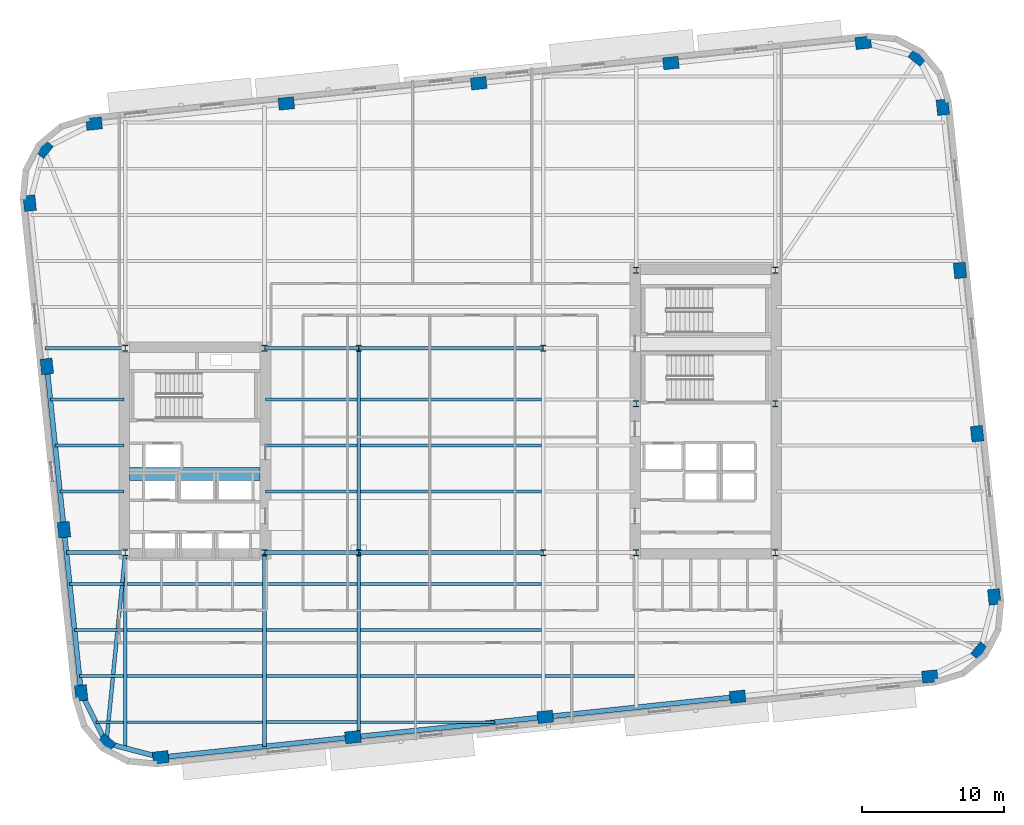
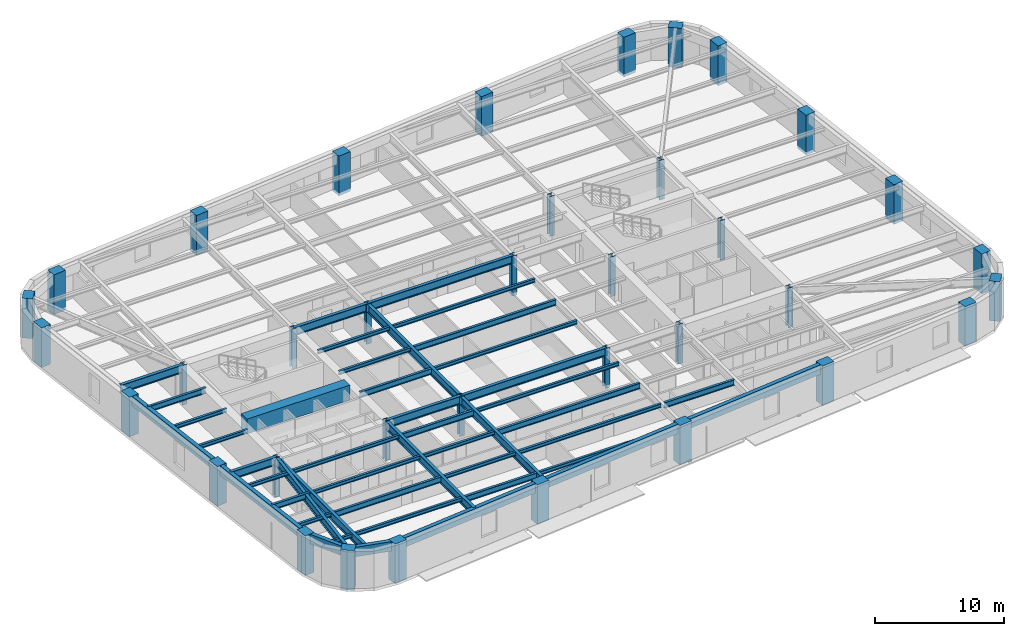
# One storey, part 1 of 12: 45 beams, 36 columns.
"""IFC4 building model written with IfcOpenShell, lengths in metres."""

from ifc_helpers import new_model, si_unit, direction, frame, origin, origin_2d, place, context, subcontext, project, spatial, rectangle, hollow_rectangle, i_section, extrude, material, material_profile, profile_set, type_object, element, save


model = new_model("IFC4")

# Units and contexts
model_context = context("Model", 3, precision=1e-05, world=origin(), true_north=direction((0.0, 1.0)))
body_context = subcontext(model_context, "Body", "Model", "MODEL_VIEW")
ifc_project = project(units=[si_unit("LENGTHUNIT", "METRE"), si_unit("AREAUNIT", "SQUARE_METRE"), si_unit("VOLUMEUNIT", "CUBIC_METRE"), si_unit("PLANEANGLEUNIT", "RADIAN"), si_unit("MASSUNIT", "GRAM", prefix="KILO")], contexts=[model_context])

# Site, building, storey
site_placement = place(None, origin())
site = spatial("IfcSite", under=ifc_project, at=site_placement, CompositionType="ELEMENT")
building_placement = place(site_placement, origin())
building = spatial("IfcBuilding", under=site, at=building_placement, Name="Kolvaren Arena Tower", CompositionType="ELEMENT")
storey_placement = place(building_placement, frame((0.0, 0.0, 138.25)))
storey = spatial("IfcBuildingStorey", under=building, at=storey_placement, Name="L32", CompositionType="ELEMENT", Elevation=138.25)

# Columns
ifc_material_1 = material(Name="Precast concrete C70/85", Category="concrete")
ifc_material_profile_1 = material_profile(ifc_material_1, rectangle(XDim=1.10009765625, YDim=0.85009765625, at=origin_2d()), Name="RC-1100x850")
ifc_profile_set_1 = profile_set([ifc_material_profile_1], Name="Precast concrete C70/85")
column_type_1 = type_object("IfcColumnType", Name="EXCOL-Z2", PredefinedType="COLUMN", material=ifc_profile_set_1)
for number, where, z_axis, x_axis, name in (
    (1, (17.0458984375, 5.024658203125, -0.27001953125), (0.0, 0.0, 1.0), (0.994521895368, 0.104528463268, 0.0), "Exoskeleton Perimeter Column 01 (L32)"),
    (2, (30.59619140625, 6.44873046875, -0.27001953125), (0.0, 0.0, 1.0), (0.994521895368, 0.104528463268, 0.0), "Exoskeleton Perimeter Column 02 (L32)"),
    (3, (44.146728515625, 7.873046875, -0.27001953125), (0.0, 0.0, 1.0), (0.994521895368, 0.104528463268, 0.0), "Exoskeleton Perimeter Column 03 (L32)"),
    (4, (57.697021484375, 9.297119140625, -0.27001953125), (0.0, 0.0, 1.0), (0.994521895368, 0.104528463268, 0.0), "Exoskeleton Perimeter Column 04 (L32)"),
    (5, (71.247314453125, 10.721435546875, -0.27001953125), (0.0, 0.0, 1.0), (0.994521895368, 0.104528463268, 0.0), "Exoskeleton Perimeter Column 05 (L32)"),
    (6, (74.790283203125, 12.49267578125, -0.27001953125), (0.0, 0.0, 1.0), (0.62932039105, 0.777145961457, 0.0), "Exoskeleton Perimeter Column 06 (L32)"),
    (7, (75.786376953125, 16.326416015625, -0.27001953125), (0.0, 0.0, 1.0), (-0.104528463268, 0.994521895368, 0.0), "Exoskeleton Perimeter Column 07 (L32)"),
    (8, (74.577392578125, 27.829833984375, -0.27001953125), (0.0, 0.0, 1.0), (-0.104528463268, 0.994521895368, 0.0), "Exoskeleton Perimeter Column 08 (L32)"),
    (9, (73.368408203125, 39.3330078125, -0.27001953125), (0.0, 0.0, 1.0), (-0.104528463268, 0.994521895368, 0.0), "Exoskeleton Perimeter Column 09 (L32)"),
    (10, (72.1591796875, 50.83642578125, -0.27001953125), (0.0, 0.0, 1.0), (-0.104528463268, 0.994521895368, 0.0), "Exoskeleton Perimeter Column 10 (L32)"),
    (11, (70.387939453125, 54.37939453125, -0.27001953125), (0.0, 0.0, 1.0), (-0.777145961457, 0.62932039105, 0.0), "Exoskeleton Perimeter Column 11 (L32)"),
    (12, (66.55419921875, 55.37548828125, -0.27001953125), (0.0, 0.0, 1.0), (0.994521895368, 0.104528463268, 0.0), "Exoskeleton Perimeter Column 12 (L32)"),
    (13, (53.003662109375, 53.951171875, -0.27001953125), (0.0, 0.0, 1.0), (0.994521895368, 0.104528463268, 0.0), "Exoskeleton Perimeter Column 13 (L32)"),
    (14, (39.453369140625, 52.527099609375, -0.27001953125), (0.0, 0.0, 1.0), (0.994521895368, 0.104528463268, 0.0), "Exoskeleton Perimeter Column 14 (L32)"),
    (15, (25.903076171875, 51.102783203125, -0.27001953125), (0.0, 0.0, 1.0), (0.994521895368, 0.104528463268, 0.0), "Exoskeleton Perimeter Column 15 (L32)"),
    (16, (12.3525390625, 49.6787109375, -0.27001953125), (0.0, 0.0, 1.0), (0.994521895368, 0.104528463268, 0.0), "Exoskeleton Perimeter Column 16 (L32)"),
    (17, (8.8095703125, 47.9072265625, -0.27001953125), (0.0, 0.0, 1.0), (0.62932039105, 0.777145961457, 0.0), "Exoskeleton Perimeter Column 17 (L32)"),
    (18, (7.813720703125, 44.073486328125, -0.27001953125), (0.0, 0.0, 1.0), (-0.104528463268, 0.994521895368, 0.0), "Exoskeleton Perimeter Column 18 (L32)"),
    (19, (9.022705078125, 32.5703125, -0.27001953125), (0.0, 0.0, 1.0), (-0.104528463268, 0.994521895368, 0.0), "Exoskeleton Perimeter Column 19 (L32)"),
    (20, (10.231689453125, 21.06689453125, -0.27001953125), (0.0, 0.0, 1.0), (-0.104528463268, 0.994521895368, 0.0), "Exoskeleton Perimeter Column 20 (L32)"),
    (21, (11.44091796875, 9.5634765625, -0.27001953125), (0.0, 0.0, 1.0), (-0.104528463268, 0.994521895368, 0.0), "Exoskeleton Perimeter Column 21 (L32)"),
    (22, (13.212158203125, 6.0205078125, -0.27001953125), (0.0, 0.0, 1.0), (-0.777145961457, 0.62932039105, 0.0), "Exoskeleton Perimeter Column 22 (L32)"),
):
    element("IfcColumn", number, at=place(storey_placement, frame(where, z_axis=z_axis, x_axis=x_axis)), inside=storey, type_object=column_type_1, Name=name, PredefinedType="COLUMN", context=body_context, shape_type="SweptSolid", body=[
        extrude(rectangle(XDim=1.10009765625, YDim=0.85009765625, at=origin_2d()), origin(), (0.0, 0.0, 1.0), 3.75),
    ])
ifc_material_2 = material(Name="Steel ASTM A913 Grade 65", Category="steel")
ifc_material_profile_2 = material_profile(ifc_material_2, i_section(OverallWidth=0.416015625, OverallDepth=0.446044921875, WebThickness=0.0390625, FlangeThickness=0.062744140625, FilletRadius=0.02001953125, at=origin_2d()), Name="W360x509")
ifc_profile_set_2 = profile_set([ifc_material_profile_2], Name="Steel ASTM A913 Grade 65")
column_type_2 = type_object("IfcColumnType", Name="SCOL-Z2", PredefinedType="COLUMN", material=ifc_profile_set_2)
for number, where, z_axis, x_axis, name in (
    (23, (14.550048828125, 19.449951171875, -0.27001953125), (0.0, 0.0, 1.0), (1.0, 0.0, 0.0), "Core Boundary Column WC-SW (L32)"),
    (24, (24.35009765625, 19.449951171875, -0.27001953125), (0.0, 0.0, 1.0), (1.0, 0.0, 0.0), "Core Boundary Column WC-SE (L32)"),
    (25, (14.550048828125, 33.85009765625, -0.27001953125), (0.0, 0.0, 1.0), (1.0, 0.0, 0.0), "Core Boundary Column WC-NW (L32)"),
    (26, (24.35009765625, 33.85009765625, -0.27001953125), (0.0, 0.0, 1.0), (1.0, 0.0, 0.0), "Core Boundary Column WC-NE (L32)"),
    (27, (50.550048828125, 19.449951171875, -0.27001953125), (0.0, 0.0, 1.0), (1.0, 0.0, 0.0), "Core Boundary Column EC-SW (L32)"),
    (28, (60.35009765625, 19.449951171875, -0.27001953125), (0.0, 0.0, 1.0), (1.0, 0.0, 0.0), "Core Boundary Column EC-SE (L32)"),
    (29, (50.550048828125, 29.949951171875, -0.27001953125), (0.0, 0.0, 1.0), (1.0, 0.0, 0.0), "Core Boundary Column EC-MW (L32)"),
    (30, (60.35009765625, 29.949951171875, -0.27001953125), (0.0, 0.0, 1.0), (1.0, 0.0, 0.0), "Core Boundary Column EC-ME (L32)"),
    (31, (50.550048828125, 39.35009765625, -0.27001953125), (0.0, 0.0, 1.0), (1.0, 0.0, 0.0), "Core Boundary Column EC-NW (L32)"),
    (32, (60.35009765625, 39.35009765625, -0.27001953125), (0.0, 0.0, 1.0), (1.0, 0.0, 0.0), "Core Boundary Column EC-NE (L32)"),
    (33, (31.0, 19.449951171875, -0.27001953125), (0.0, 0.0, 1.0), (1.0, 0.0, 0.0), "Interior Gravity Column TC-SW (L32)"),
    (34, (44.0, 19.449951171875, -0.27001953125), (0.0, 0.0, 1.0), (1.0, 0.0, 0.0), "Interior Gravity Column TC-SE (L32)"),
    (35, (31.0, 33.85009765625, -0.27001953125), (0.0, 0.0, 1.0), (1.0, 0.0, 0.0), "Interior Gravity Column TC-NW (L32)"),
    (36, (44.0, 33.85009765625, -0.27001953125), (0.0, 0.0, 1.0), (1.0, 0.0, 0.0), "Interior Gravity Column TC-NE (L32)"),
):
    element("IfcColumn", number, at=place(storey_placement, frame(where, z_axis=z_axis, x_axis=x_axis)), inside=storey, type_object=column_type_2, Name=name, PredefinedType="COLUMN", context=body_context, shape_type="SweptSolid", body=[
        extrude(i_section(OverallWidth=0.416015625, OverallDepth=0.446044921875, WebThickness=0.0390625, FlangeThickness=0.062744140625, FilletRadius=0.02001953125, at=origin_2d()), origin(), (0.0, 0.0, 1.0), 3.75),
    ])

# Beams
ifc_material_3 = material(Name="Steel CSA G40.21 350W", Category="steel")
ifc_material_profile_3 = material_profile(ifc_material_3, i_section(OverallWidth=0.2119140625, OverallDepth=0.54296875, WebThickness=0.01318359375, FlangeThickness=0.0244140625, FilletRadius=0.013916015625, at=origin_2d()), Name="W530x150")
ifc_profile_set_3 = profile_set([ifc_material_profile_3], Name="Steel CSA G40.21 350W")
beam_type_1 = type_object("IfcBeamType", Name="BEAM-F1", PredefinedType="BEAM", material=ifc_profile_set_3)
beam_1_placement = place(storey_placement, frame((24.485107421875, 7.5, 3.20849609375), z_axis=(1.0, 0.0, 0.0), x_axis=(0.0, 1.0, 0.0)))
element("IfcBeam", 37, at=beam_1_placement, inside=storey, type_object=beam_type_1, Name="Composite Floor Beam (L32)", PredefinedType="BEAM", context=body_context, shape_type="SweptSolid", body=[
    extrude(i_section(OverallWidth=0.2119140625, OverallDepth=0.54296875, WebThickness=0.01318359375, FlangeThickness=0.0244140625, FilletRadius=0.013916015625, at=origin_2d()), origin(), (0.0, 0.0, 1.0), 6.3798828125),
])
beam_2_placement = place(storey_placement, frame((14.68505859375, 10.75, 3.20849609375), z_axis=(1.0, 0.0, 0.0), x_axis=(0.0, 1.0, 0.0)))
element("IfcBeam", 38, at=beam_2_placement, inside=storey, type_object=beam_type_1, Name="Composite Floor Beam (L32)", PredefinedType="BEAM", context=body_context, shape_type="SweptSolid", body=[
    extrude(i_section(OverallWidth=0.2119140625, OverallDepth=0.54296875, WebThickness=0.01318359375, FlangeThickness=0.0244140625, FilletRadius=0.013916015625, at=origin_2d()), origin(), (0.0, 0.0, 1.0), 9.530029296875),
])
beam_3_placement = place(storey_placement, frame((44.135009765625, 10.75, 3.20849609375), z_axis=(1.0, 0.0, 0.0), x_axis=(0.0, 1.0, 0.0)))
element("IfcBeam", 39, at=beam_3_placement, inside=storey, type_object=beam_type_1, Name="Composite Floor Beam (L32)", PredefinedType="BEAM", context=body_context, shape_type="SweptSolid", body=[
    extrude(i_section(OverallWidth=0.2119140625, OverallDepth=0.54296875, WebThickness=0.01318359375, FlangeThickness=0.0244140625, FilletRadius=0.013916015625, at=origin_2d()), origin(), (0.0, 0.0, 1.0), 6.280029296875),
])
beam_4_placement = place(storey_placement, frame((10.974609375, 14.0, 3.20849609375), z_axis=(1.0, 0.0, 0.0), x_axis=(0.0, 1.0, 0.0)))
element("IfcBeam", 40, at=beam_4_placement, inside=storey, type_object=beam_type_1, Name="Composite Floor Beam (L32)", PredefinedType="BEAM", context=body_context, shape_type="SweptSolid", body=[
    extrude(i_section(OverallWidth=0.2119140625, OverallDepth=0.54296875, WebThickness=0.01318359375, FlangeThickness=0.0244140625, FilletRadius=0.013916015625, at=origin_2d()), origin(), (0.0, 0.0, 1.0), 3.4404296875),
])
beam_5_placement = place(storey_placement, frame((31.135009765625, 14.0, 3.20849609375), z_axis=(1.0, 0.0, 0.0), x_axis=(0.0, 1.0, 0.0)))
element("IfcBeam", 41, at=beam_5_placement, inside=storey, type_object=beam_type_1, Name="Composite Floor Beam (L32)", PredefinedType="BEAM", context=body_context, shape_type="SweptSolid", body=[
    extrude(i_section(OverallWidth=0.2119140625, OverallDepth=0.54296875, WebThickness=0.01318359375, FlangeThickness=0.0244140625, FilletRadius=0.013916015625, at=origin_2d()), origin(), (0.0, 0.0, 1.0), 12.72998046875),
])
beam_6_placement = place(storey_placement, frame((24.485107421875, 17.25, 3.20849609375), z_axis=(1.0, 0.0, 0.0), x_axis=(0.0, 1.0, 0.0)))
element("IfcBeam", 42, at=beam_6_placement, inside=storey, type_object=beam_type_1, Name="Composite Floor Beam (L32)", PredefinedType="BEAM", context=body_context, shape_type="SweptSolid", body=[
    extrude(i_section(OverallWidth=0.2119140625, OverallDepth=0.54296875, WebThickness=0.01318359375, FlangeThickness=0.0244140625, FilletRadius=0.013916015625, at=origin_2d()), origin(), (0.0, 0.0, 1.0), 6.3798828125),
])
beam_7_placement = place(storey_placement, frame((24.445068359375, 23.75, 3.20849609375), z_axis=(1.0, 0.0, 0.0), x_axis=(0.0, 1.0, 0.0)))
element("IfcBeam", 43, at=beam_7_placement, inside=storey, type_object=beam_type_1, Name="Composite Floor Beam (L32)", PredefinedType="BEAM", context=body_context, shape_type="SweptSolid", body=[
    extrude(i_section(OverallWidth=0.2119140625, OverallDepth=0.54296875, WebThickness=0.01318359375, FlangeThickness=0.0244140625, FilletRadius=0.013916015625, at=origin_2d()), origin(), (0.0, 0.0, 1.0), 6.419921875),
])
beam_8_placement = place(storey_placement, frame((31.135009765625, 27.0, 3.20849609375), z_axis=(1.0, 0.0, 0.0), x_axis=(0.0, 1.0, 0.0)))
element("IfcBeam", 44, at=beam_8_placement, inside=storey, type_object=beam_type_1, Name="Composite Floor Beam (L32)", PredefinedType="BEAM", context=body_context, shape_type="SweptSolid", body=[
    extrude(i_section(OverallWidth=0.2119140625, OverallDepth=0.54296875, WebThickness=0.01318359375, FlangeThickness=0.0244140625, FilletRadius=0.013916015625, at=origin_2d()), origin(), (0.0, 0.0, 1.0), 12.72998046875),
])
beam_9_placement = place(storey_placement, frame((9.2666015625, 30.25, 3.20849609375), z_axis=(1.0, 0.0, 0.0), x_axis=(0.0, 1.0, 0.0)))
element("IfcBeam", 45, at=beam_9_placement, inside=storey, type_object=beam_type_1, Name="Composite Floor Beam (L32)", PredefinedType="BEAM", context=body_context, shape_type="SweptSolid", body=[
    extrude(i_section(OverallWidth=0.2119140625, OverallDepth=0.54296875, WebThickness=0.01318359375, FlangeThickness=0.0244140625, FilletRadius=0.013916015625, at=origin_2d()), origin(), (0.0, 0.0, 1.0), 5.1884765625),
])
ifc_material_4 = material(Name="Concrete 75 MPa", Category="concrete")
ifc_material_profile_4 = material_profile(ifc_material_4, rectangle(XDim=0.89990234375, YDim=1.39990234375, at=origin_2d()), Name="RC-900x1400")
ifc_profile_set_4 = profile_set([ifc_material_profile_4], Name="Concrete 75 MPa")
beam_type_2 = type_object("IfcBeamType", Name="CB-CORE-1", PredefinedType="BEAM", material=ifc_profile_set_4)
beam_10_placement = place(storey_placement, frame((14.85009765625, 25.0, 3.050048828125), z_axis=(1.0, 0.0, 0.0), x_axis=(0.0, 1.0, 0.0)))
element("IfcBeam", 46, at=beam_10_placement, inside=storey, type_object=beam_type_2, Name="West Core Coupling Beam (L32)", PredefinedType="BEAM", context=body_context, shape_type="SweptSolid", body=[
    extrude(rectangle(XDim=0.89990234375, YDim=1.39990234375, at=origin_2d()), origin(), (0.0, 0.0, 1.0), 9.199951171875),
])
ifc_material_profile_5 = material_profile(ifc_material_3, i_section(OverallWidth=0.27001953125, OverallDepth=0.77294921875, WebThickness=0.019287109375, FlangeThickness=0.033447265625, FilletRadius=0.01806640625, at=origin_2d()), Name="W760x257")
ifc_profile_set_5 = profile_set([ifc_material_profile_5], Name="Steel CSA G40.21 350W")
beam_type_3 = type_object("IfcBeamType", Name="GIRD-T1", PredefinedType="BEAM", material=ifc_profile_set_5)
beam_11_placement = place(storey_placement, frame((13.212158203125, 6.0205078125, 3.093505859375), z_axis=(0.099132957575, 0.995074196592, 0.0), x_axis=(-0.995074196592, 0.099132957575, 0.0)))
element("IfcBeam", 47, at=beam_11_placement, inside=storey, type_object=beam_type_3, Name="Corner Diagonal Tie Girder (L32)", PredefinedType="BEAM", context=body_context, shape_type="SweptSolid", body=[
    extrude(i_section(OverallWidth=0.27001953125, OverallDepth=0.77294921875, WebThickness=0.019287109375, FlangeThickness=0.033447265625, FilletRadius=0.01806640625, at=origin_2d()), origin(), (0.0, 0.0, 1.0), 13.495849609375),
])
beam_12_placement = place(storey_placement, frame((10.401611328125, 19.449951171875, 3.093505859375), z_axis=(1.0, 0.0, 0.0), x_axis=(0.0, 1.0, 0.0)))
element("IfcBeam", 48, at=beam_12_placement, inside=storey, type_object=beam_type_3, Name="Primary Floor Girder (L32)", PredefinedType="BEAM", context=body_context, shape_type="SweptSolid", body=[
    extrude(i_section(OverallWidth=0.27001953125, OverallDepth=0.77294921875, WebThickness=0.019287109375, FlangeThickness=0.033447265625, FilletRadius=0.01806640625, at=origin_2d()), origin(), (0.0, 0.0, 1.0), 4.093505859375),
])
beam_13_placement = place(storey_placement, frame((24.405029296875, 19.449951171875, 3.093505859375), z_axis=(1.0, 0.0, 0.0), x_axis=(0.0, 1.0, 0.0)))
element("IfcBeam", 49, at=beam_13_placement, inside=storey, type_object=beam_type_3, Name="Primary Floor Girder (L32)", PredefinedType="BEAM", context=body_context, shape_type="SweptSolid", body=[
    extrude(i_section(OverallWidth=0.27001953125, OverallDepth=0.77294921875, WebThickness=0.019287109375, FlangeThickness=0.033447265625, FilletRadius=0.01806640625, at=origin_2d()), origin(), (0.0, 0.0, 1.0), 6.594970703125),
])
beam_14_placement = place(storey_placement, frame((31.0, 19.449951171875, 3.093505859375), z_axis=(1.0, 0.0, 0.0), x_axis=(0.0, 1.0, 0.0)))
element("IfcBeam", 50, at=beam_14_placement, inside=storey, type_object=beam_type_3, Name="Primary Floor Girder (L32)", PredefinedType="BEAM", context=body_context, shape_type="SweptSolid", body=[
    extrude(i_section(OverallWidth=0.27001953125, OverallDepth=0.77294921875, WebThickness=0.019287109375, FlangeThickness=0.033447265625, FilletRadius=0.01806640625, at=origin_2d()), origin(), (0.0, 0.0, 1.0), 13.0),
])
beam_15_placement = place(storey_placement, frame((8.88818359375, 33.85009765625, 3.093505859375), z_axis=(1.0, 0.0, 0.0), x_axis=(0.0, 1.0, 0.0)))
element("IfcBeam", 51, at=beam_15_placement, inside=storey, type_object=beam_type_3, Name="Primary Floor Girder (L32)", PredefinedType="BEAM", context=body_context, shape_type="SweptSolid", body=[
    extrude(i_section(OverallWidth=0.27001953125, OverallDepth=0.77294921875, WebThickness=0.019287109375, FlangeThickness=0.033447265625, FilletRadius=0.01806640625, at=origin_2d()), origin(), (0.0, 0.0, 1.0), 5.60693359375),
])
beam_16_placement = place(storey_placement, frame((24.405029296875, 33.85009765625, 3.093505859375), z_axis=(1.0, 0.0, 0.0), x_axis=(0.0, 1.0, 0.0)))
element("IfcBeam", 52, at=beam_16_placement, inside=storey, type_object=beam_type_3, Name="Primary Floor Girder (L32)", PredefinedType="BEAM", context=body_context, shape_type="SweptSolid", body=[
    extrude(i_section(OverallWidth=0.27001953125, OverallDepth=0.77294921875, WebThickness=0.019287109375, FlangeThickness=0.033447265625, FilletRadius=0.01806640625, at=origin_2d()), origin(), (0.0, 0.0, 1.0), 6.594970703125),
])
beam_17_placement = place(storey_placement, frame((31.0, 33.85009765625, 3.093505859375), z_axis=(1.0, 0.0, 0.0), x_axis=(0.0, 1.0, 0.0)))
element("IfcBeam", 53, at=beam_17_placement, inside=storey, type_object=beam_type_3, Name="Primary Floor Girder (L32)", PredefinedType="BEAM", context=body_context, shape_type="SweptSolid", body=[
    extrude(i_section(OverallWidth=0.27001953125, OverallDepth=0.77294921875, WebThickness=0.019287109375, FlangeThickness=0.033447265625, FilletRadius=0.01806640625, at=origin_2d()), origin(), (0.0, 0.0, 1.0), 13.0),
])
beam_18_placement = place(storey_placement, frame((14.550048828125, 5.673095703125, 3.093505859375), z_axis=(0.0, 1.0, 0.0), x_axis=(-1.0, 0.0, 0.0)))
element("IfcBeam", 54, at=beam_18_placement, inside=storey, type_object=beam_type_3, Name="Primary Floor Girder (L32)", PredefinedType="BEAM", context=body_context, shape_type="SweptSolid", body=[
    extrude(i_section(OverallWidth=0.27001953125, OverallDepth=0.77294921875, WebThickness=0.019287109375, FlangeThickness=0.033447265625, FilletRadius=0.01806640625, at=origin_2d()), origin(), (0.0, 0.0, 1.0), 13.721923828125),
])
beam_19_placement = place(storey_placement, frame((24.35009765625, 5.792236328125, 3.093505859375), z_axis=(0.0, 1.0, 0.0), x_axis=(-1.0, 0.0, 0.0)))
element("IfcBeam", 55, at=beam_19_placement, inside=storey, type_object=beam_type_3, Name="Primary Floor Girder (L32)", PredefinedType="BEAM", context=body_context, shape_type="SweptSolid", body=[
    extrude(i_section(OverallWidth=0.27001953125, OverallDepth=0.77294921875, WebThickness=0.019287109375, FlangeThickness=0.033447265625, FilletRadius=0.01806640625, at=origin_2d()), origin(), (0.0, 0.0, 1.0), 13.602783203125),
])
beam_20_placement = place(storey_placement, frame((31.0, 6.4912109375, 3.093505859375), z_axis=(0.0, 1.0, 0.0), x_axis=(-1.0, 0.0, 0.0)))
element("IfcBeam", 56, at=beam_20_placement, inside=storey, type_object=beam_type_3, Name="Primary Floor Girder (L32)", PredefinedType="BEAM", context=body_context, shape_type="SweptSolid", body=[
    extrude(i_section(OverallWidth=0.27001953125, OverallDepth=0.77294921875, WebThickness=0.019287109375, FlangeThickness=0.033447265625, FilletRadius=0.01806640625, at=origin_2d()), origin(), (0.0, 0.0, 1.0), 12.958740234375),
])
beam_21_placement = place(storey_placement, frame((31.0, 19.449951171875, 3.093505859375), z_axis=(0.0, 1.0, 0.0), x_axis=(-1.0, 0.0, 0.0)))
element("IfcBeam", 57, at=beam_21_placement, inside=storey, type_object=beam_type_3, Name="Primary Floor Girder (L32)", PredefinedType="BEAM", context=body_context, shape_type="SweptSolid", body=[
    extrude(i_section(OverallWidth=0.27001953125, OverallDepth=0.77294921875, WebThickness=0.019287109375, FlangeThickness=0.033447265625, FilletRadius=0.01806640625, at=origin_2d()), origin(), (0.0, 0.0, 1.0), 14.400146484375),
])
ifc_material_profile_6 = material_profile(ifc_material_3, i_section(OverallWidth=0.202880859375, OverallDepth=0.346923828125, WebThickness=0.0078125, FlangeThickness=0.013427734375, FilletRadius=0.010986328125, at=origin_2d()), Name="W360x64")
ifc_profile_set_6 = profile_set([ifc_material_profile_6], Name="Steel CSA G40.21 350W")
beam_type_4 = type_object("IfcBeamType", Name="JOIST-01", PredefinedType="JOIST", material=ifc_profile_set_6)
beam_22_placement = place(storey_placement, frame((12.472412109375, 7.5, 3.306396484375), z_axis=(1.0, 0.0, 0.0), x_axis=(0.0, 1.0, 0.0)))
element("IfcBeam", 58, at=beam_22_placement, inside=storey, type_object=beam_type_4, Name="Composite Floor Joist (L32)", PredefinedType="JOIST", context=body_context, shape_type="SweptSolid", body=[
    extrude(i_section(OverallWidth=0.202880859375, OverallDepth=0.346923828125, WebThickness=0.0078125, FlangeThickness=0.013427734375, FilletRadius=0.010986328125, at=origin_2d()), origin(), (0.0, 0.0, 1.0), 1.942626953125),
])
beam_23_placement = place(storey_placement, frame((14.68505859375, 7.5, 3.306396484375), z_axis=(1.0, 0.0, 0.0), x_axis=(0.0, 1.0, 0.0)))
element("IfcBeam", 59, at=beam_23_placement, inside=storey, type_object=beam_type_4, Name="Composite Floor Joist (L32)", PredefinedType="JOIST", context=body_context, shape_type="SweptSolid", body=[
    extrude(i_section(OverallWidth=0.202880859375, OverallDepth=0.346923828125, WebThickness=0.0078125, FlangeThickness=0.013427734375, FilletRadius=0.010986328125, at=origin_2d()), origin(), (0.0, 0.0, 1.0), 9.530029296875),
])
beam_24_placement = place(storey_placement, frame((31.135009765625, 7.5, 3.306396484375), z_axis=(1.0, 0.0, 0.0), x_axis=(0.0, 1.0, 0.0)))
element("IfcBeam", 60, at=beam_24_placement, inside=storey, type_object=beam_type_4, Name="Composite Floor Joist (L32)", PredefinedType="JOIST", context=body_context, shape_type="SweptSolid", body=[
    extrude(i_section(OverallWidth=0.202880859375, OverallDepth=0.346923828125, WebThickness=0.0078125, FlangeThickness=0.013427734375, FilletRadius=0.010986328125, at=origin_2d()), origin(), (0.0, 0.0, 1.0), 9.462890625),
])
beam_25_placement = place(storey_placement, frame((11.316162109375, 10.75, 3.306396484375), z_axis=(1.0, 0.0, 0.0), x_axis=(0.0, 1.0, 0.0)))
element("IfcBeam", 61, at=beam_25_placement, inside=storey, type_object=beam_type_4, Name="Composite Floor Joist (L32)", PredefinedType="JOIST", context=body_context, shape_type="SweptSolid", body=[
    extrude(i_section(OverallWidth=0.202880859375, OverallDepth=0.346923828125, WebThickness=0.0078125, FlangeThickness=0.013427734375, FilletRadius=0.010986328125, at=origin_2d()), origin(), (0.0, 0.0, 1.0), 3.098876953125),
])
beam_26_placement = place(storey_placement, frame((24.485107421875, 10.75, 3.306396484375), z_axis=(1.0, 0.0, 0.0), x_axis=(0.0, 1.0, 0.0)))
element("IfcBeam", 62, at=beam_26_placement, inside=storey, type_object=beam_type_4, Name="Composite Floor Joist (L32)", PredefinedType="JOIST", context=body_context, shape_type="SweptSolid", body=[
    extrude(i_section(OverallWidth=0.202880859375, OverallDepth=0.346923828125, WebThickness=0.0078125, FlangeThickness=0.013427734375, FilletRadius=0.010986328125, at=origin_2d()), origin(), (0.0, 0.0, 1.0), 6.3798828125),
])
beam_27_placement = place(storey_placement, frame((31.135009765625, 10.75, 3.306396484375), z_axis=(1.0, 0.0, 0.0), x_axis=(0.0, 1.0, 0.0)))
element("IfcBeam", 63, at=beam_27_placement, inside=storey, type_object=beam_type_4, Name="Composite Floor Joist (L32)", PredefinedType="JOIST", context=body_context, shape_type="SweptSolid", body=[
    extrude(i_section(OverallWidth=0.202880859375, OverallDepth=0.346923828125, WebThickness=0.0078125, FlangeThickness=0.013427734375, FilletRadius=0.010986328125, at=origin_2d()), origin(), (0.0, 0.0, 1.0), 12.72998046875),
])
beam_28_placement = place(storey_placement, frame((14.68505859375, 14.0, 3.306396484375), z_axis=(1.0, 0.0, 0.0), x_axis=(0.0, 1.0, 0.0)))
element("IfcBeam", 64, at=beam_28_placement, inside=storey, type_object=beam_type_4, Name="Composite Floor Joist (L32)", PredefinedType="JOIST", context=body_context, shape_type="SweptSolid", body=[
    extrude(i_section(OverallWidth=0.202880859375, OverallDepth=0.346923828125, WebThickness=0.0078125, FlangeThickness=0.013427734375, FilletRadius=0.010986328125, at=origin_2d()), origin(), (0.0, 0.0, 1.0), 9.530029296875),
])
beam_29_placement = place(storey_placement, frame((24.485107421875, 14.0, 3.306396484375), z_axis=(1.0, 0.0, 0.0), x_axis=(0.0, 1.0, 0.0)))
element("IfcBeam", 65, at=beam_29_placement, inside=storey, type_object=beam_type_4, Name="Composite Floor Joist (L32)", PredefinedType="JOIST", context=body_context, shape_type="SweptSolid", body=[
    extrude(i_section(OverallWidth=0.202880859375, OverallDepth=0.346923828125, WebThickness=0.0078125, FlangeThickness=0.013427734375, FilletRadius=0.010986328125, at=origin_2d()), origin(), (0.0, 0.0, 1.0), 6.3798828125),
])
beam_30_placement = place(storey_placement, frame((10.6328125, 17.25, 3.306396484375), z_axis=(1.0, 0.0, 0.0), x_axis=(0.0, 1.0, 0.0)))
element("IfcBeam", 66, at=beam_30_placement, inside=storey, type_object=beam_type_4, Name="Composite Floor Joist (L32)", PredefinedType="JOIST", context=body_context, shape_type="SweptSolid", body=[
    extrude(i_section(OverallWidth=0.202880859375, OverallDepth=0.346923828125, WebThickness=0.0078125, FlangeThickness=0.013427734375, FilletRadius=0.010986328125, at=origin_2d()), origin(), (0.0, 0.0, 1.0), 3.7822265625),
])
beam_31_placement = place(storey_placement, frame((14.68505859375, 17.25, 3.306396484375), z_axis=(1.0, 0.0, 0.0), x_axis=(0.0, 1.0, 0.0)))
element("IfcBeam", 67, at=beam_31_placement, inside=storey, type_object=beam_type_4, Name="Composite Floor Joist (L32)", PredefinedType="JOIST", context=body_context, shape_type="SweptSolid", body=[
    extrude(i_section(OverallWidth=0.202880859375, OverallDepth=0.346923828125, WebThickness=0.0078125, FlangeThickness=0.013427734375, FilletRadius=0.010986328125, at=origin_2d()), origin(), (0.0, 0.0, 1.0), 9.530029296875),
])
beam_32_placement = place(storey_placement, frame((31.135009765625, 17.25, 3.306396484375), z_axis=(1.0, 0.0, 0.0), x_axis=(0.0, 1.0, 0.0)))
element("IfcBeam", 68, at=beam_32_placement, inside=storey, type_object=beam_type_4, Name="Composite Floor Joist (L32)", PredefinedType="JOIST", context=body_context, shape_type="SweptSolid", body=[
    extrude(i_section(OverallWidth=0.202880859375, OverallDepth=0.346923828125, WebThickness=0.0078125, FlangeThickness=0.013427734375, FilletRadius=0.010986328125, at=origin_2d()), origin(), (0.0, 0.0, 1.0), 12.72998046875),
])
beam_33_placement = place(storey_placement, frame((9.94970703125, 23.75, 3.306396484375), z_axis=(1.0, 0.0, 0.0), x_axis=(0.0, 1.0, 0.0)))
element("IfcBeam", 69, at=beam_33_placement, inside=storey, type_object=beam_type_4, Name="Composite Floor Joist (L32)", PredefinedType="JOIST", context=body_context, shape_type="SweptSolid", body=[
    extrude(i_section(OverallWidth=0.202880859375, OverallDepth=0.346923828125, WebThickness=0.0078125, FlangeThickness=0.013427734375, FilletRadius=0.010986328125, at=origin_2d()), origin(), (0.0, 0.0, 1.0), 4.50537109375),
])
beam_34_placement = place(storey_placement, frame((31.135009765625, 23.75, 3.306396484375), z_axis=(1.0, 0.0, 0.0), x_axis=(0.0, 1.0, 0.0)))
element("IfcBeam", 70, at=beam_34_placement, inside=storey, type_object=beam_type_4, Name="Composite Floor Joist (L32)", PredefinedType="JOIST", context=body_context, shape_type="SweptSolid", body=[
    extrude(i_section(OverallWidth=0.202880859375, OverallDepth=0.346923828125, WebThickness=0.0078125, FlangeThickness=0.013427734375, FilletRadius=0.010986328125, at=origin_2d()), origin(), (0.0, 0.0, 1.0), 12.72998046875),
])
beam_35_placement = place(storey_placement, frame((9.608154296875, 27.0, 3.306396484375), z_axis=(1.0, 0.0, 0.0), x_axis=(0.0, 1.0, 0.0)))
element("IfcBeam", 71, at=beam_35_placement, inside=storey, type_object=beam_type_4, Name="Composite Floor Joist (L32)", PredefinedType="JOIST", context=body_context, shape_type="SweptSolid", body=[
    extrude(i_section(OverallWidth=0.202880859375, OverallDepth=0.346923828125, WebThickness=0.0078125, FlangeThickness=0.013427734375, FilletRadius=0.010986328125, at=origin_2d()), origin(), (0.0, 0.0, 1.0), 4.846923828125),
])
for number, where, z_axis, x_axis, name in (
    (72, (24.445068359375, 27.0, 3.306396484375), (1.0, 0.0, 0.0), (0.0, 1.0, 0.0), "Composite Floor Joist (L32)"),
    (73, (24.445068359375, 30.25, 3.306396484375), (1.0, 0.0, 0.0), (0.0, 1.0, 0.0), "Composite Floor Joist (L32)"),
):
    element("IfcBeam", number, at=place(storey_placement, frame(where, z_axis=z_axis, x_axis=x_axis)), inside=storey, type_object=beam_type_4, Name=name, PredefinedType="JOIST", context=body_context, shape_type="SweptSolid", body=[
        extrude(i_section(OverallWidth=0.202880859375, OverallDepth=0.346923828125, WebThickness=0.0078125, FlangeThickness=0.013427734375, FilletRadius=0.010986328125, at=origin_2d()), origin(), (0.0, 0.0, 1.0), 6.419921875),
    ])
beam_36_placement = place(storey_placement, frame((31.135009765625, 30.25, 3.306396484375), z_axis=(1.0, 0.0, 0.0), x_axis=(0.0, 1.0, 0.0)))
element("IfcBeam", 74, at=beam_36_placement, inside=storey, type_object=beam_type_4, Name="Composite Floor Joist (L32)", PredefinedType="JOIST", context=body_context, shape_type="SweptSolid", body=[
    extrude(i_section(OverallWidth=0.202880859375, OverallDepth=0.346923828125, WebThickness=0.0078125, FlangeThickness=0.013427734375, FilletRadius=0.010986328125, at=origin_2d()), origin(), (0.0, 0.0, 1.0), 12.72998046875),
])
ifc_material_5 = material(Name="Steel CSA G40.21 350WT", Category="steel")
ifc_material_profile_7 = material_profile(ifc_material_5, hollow_rectangle(XDim=0.35009765625, YDim=0.89990234375, WallThickness=0.02001953125, at=origin_2d()), Name="HSS 900x350x20")
ifc_profile_set_7 = profile_set([ifc_material_profile_7], Name="Steel CSA G40.21 350WT")
beam_type_5 = type_object("IfcBeamType", Name="SPAND-01", PredefinedType="SPANDREL", material=ifc_profile_set_7)
beam_37_placement = place(storey_placement, frame((17.0458984375, 5.024658203125, 3.030029296875), z_axis=(0.994522817887, 0.104519685718, 0.0), x_axis=(-0.104519685718, 0.994522817887, 0.0)))
element("IfcBeam", 75, at=beam_37_placement, inside=storey, type_object=beam_type_5, Name="Perimeter Spandrel Beam (L32)", PredefinedType="SPANDREL", context=body_context, shape_type="SweptSolid", body=[
    extrude(hollow_rectangle(XDim=0.35009765625, YDim=0.89990234375, WallThickness=0.02001953125, at=origin_2d()), origin(), (0.0, 0.0, 1.0), 13.625),
])
beam_38_placement = place(storey_placement, frame((30.59619140625, 6.44873046875, 3.030029296875), z_axis=(0.994521150946, 0.104535545729, 0.0), x_axis=(-0.104535545729, 0.994521150946, 0.0)))
element("IfcBeam", 76, at=beam_38_placement, inside=storey, type_object=beam_type_5, Name="Perimeter Spandrel Beam (L32)", PredefinedType="SPANDREL", context=body_context, shape_type="SweptSolid", body=[
    extrude(hollow_rectangle(XDim=0.35009765625, YDim=0.89990234375, WallThickness=0.02001953125, at=origin_2d()), origin(), (0.0, 0.0, 1.0), 13.625244140625),
])
beam_39_placement = place(storey_placement, frame((44.146728515625, 7.873046875, 3.030029296875), z_axis=(0.994522817887, 0.104519685718, 0.0), x_axis=(-0.104519685718, 0.994522817887, 0.0)))
element("IfcBeam", 77, at=beam_39_placement, inside=storey, type_object=beam_type_5, Name="Perimeter Spandrel Beam (L32)", PredefinedType="SPANDREL", context=body_context, shape_type="SweptSolid", body=[
    extrude(hollow_rectangle(XDim=0.35009765625, YDim=0.89990234375, WallThickness=0.02001953125, at=origin_2d()), origin(), (0.0, 0.0, 1.0), 13.625),
])
for number, where, z_axis, x_axis, name in (
    (78, (9.022705078125, 32.5703125, 3.030029296875), (0.104522171998, -0.994522556587, 0.0), (0.994522556587, 0.104522171998, 0.0), "Perimeter Spandrel Beam (L32)"),
    (79, (10.231689453125, 21.06689453125, 3.030029296875), (0.104543048399, -0.994520362301, 0.0), (0.994520362301, 0.104543048399, 0.0), "Perimeter Spandrel Beam (L32)"),
):
    element("IfcBeam", number, at=place(storey_placement, frame(where, z_axis=z_axis, x_axis=x_axis)), inside=storey, type_object=beam_type_5, Name=name, PredefinedType="SPANDREL", context=body_context, shape_type="SweptSolid", body=[
        extrude(hollow_rectangle(XDim=0.35009765625, YDim=0.89990234375, WallThickness=0.02001953125, at=origin_2d()), origin(), (0.0, 0.0, 1.0), 11.56689453125),
    ])
for number, where, z_axis, x_axis, name in (
    (80, (11.44091796875, 9.5634765625, 3.030029296875), (0.44716428656, -0.894451843771, 0.0), (0.894451843771, 0.44716428656, 0.0), "Perimeter Spandrel Beam (L32)"),
    (81, (13.212158203125, 6.0205078125, 3.030029296875), (0.96787922294, -0.25141561169, 0.0), (0.25141561169, 0.96787922294, 0.0), "Perimeter Spandrel Beam (L32)"),
):
    element("IfcBeam", number, at=place(storey_placement, frame(where, z_axis=z_axis, x_axis=x_axis)), inside=storey, type_object=beam_type_5, Name=name, PredefinedType="SPANDREL", context=body_context, shape_type="SweptSolid", body=[
        extrude(hollow_rectangle(XDim=0.35009765625, YDim=0.89990234375, WallThickness=0.02001953125, at=origin_2d()), origin(), (0.0, 0.0, 1.0), 3.9609375),
    ])

save(model, "model.ifc")
